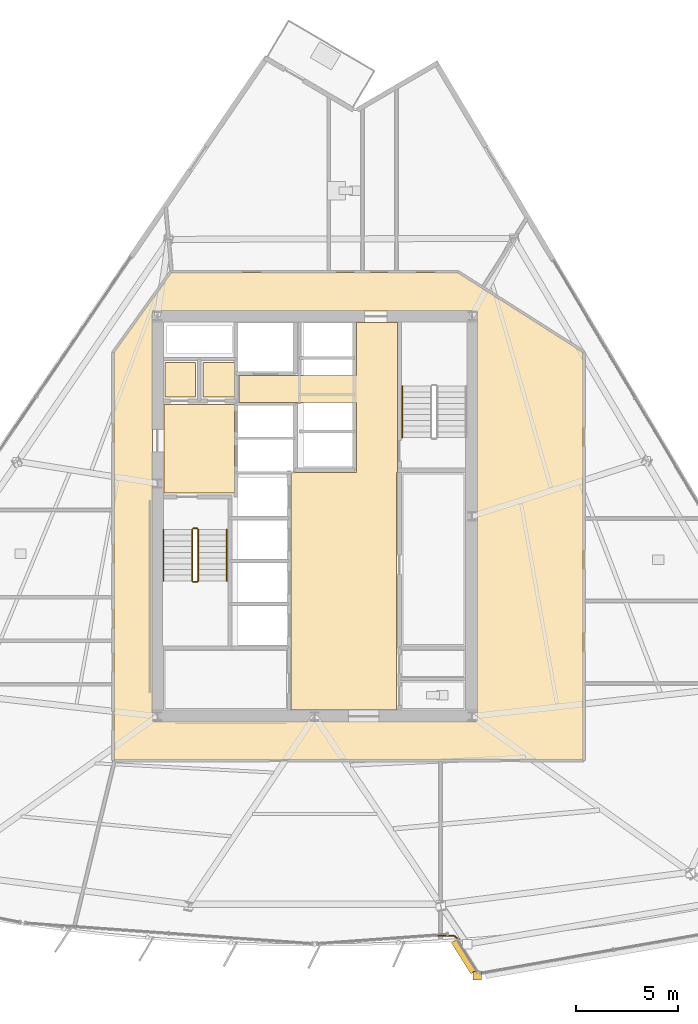
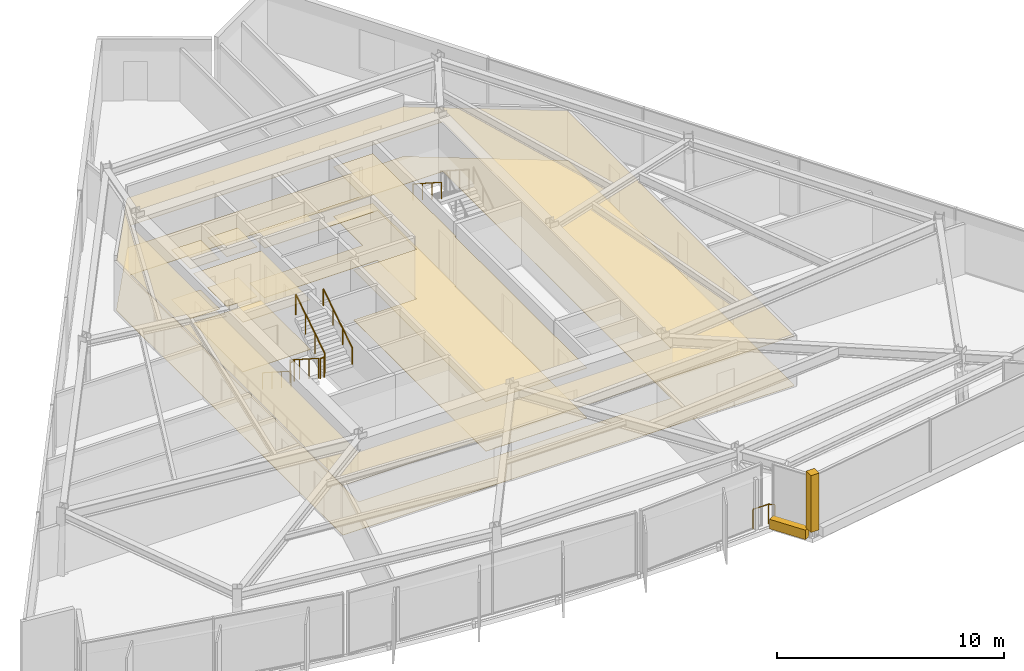
# One storey, part 12 of 15: 12 coverings, 8 railings.
"""IFC4 building model written with IfcOpenShell, lengths in metres."""

from ifc_helpers import new_model, si_unit, direction, frame, origin, origin_2d, place, context, subcontext, project, spatial, polyline, circle, outline, extrude, material, layer, layer_set, type_object, element, save


model = new_model("IFC4")

# Units and contexts
model_context = context("Model", 3, precision=1e-05, world=origin(), true_north=direction((0.0, 1.0)))
body_context = subcontext(model_context, "Body", "Model", "MODEL_VIEW")
ifc_project = project(units=[si_unit("LENGTHUNIT", "METRE"), si_unit("AREAUNIT", "SQUARE_METRE"), si_unit("VOLUMEUNIT", "CUBIC_METRE"), si_unit("PLANEANGLEUNIT", "RADIAN"), si_unit("MASSUNIT", "GRAM", prefix="KILO")], contexts=[model_context])

# Site, building, storey
site_placement = place(None, origin())
site = spatial("IfcSite", under=ifc_project, at=site_placement, CompositionType="ELEMENT")
building_placement = place(site_placement, origin())
building = spatial("IfcBuilding", under=site, at=building_placement, Name="Savorim Split Tower", CompositionType="ELEMENT")
storey_placement = place(building_placement, frame((0.0, 0.0, 122.10009765625)))
storey = spatial("IfcBuildingStorey", under=building, at=storey_placement, Name="L32", CompositionType="ELEMENT", Elevation=122.10009765625)

# Coverings
ifc_material_1 = material(Name="Mineral Fibre Acoustic Ceiling")
ifc_layer_1 = layer(ifc_material_1, 0.02490234375)
ifc_layer_set_1 = layer_set([ifc_layer_1], Name="COV-CEIL-25")
covering_type_1 = type_object("IfcCoveringType", Name="COV-CEIL-25", PredefinedType="CEILING", material=ifc_layer_set_1)
covering_1_placement = place(storey_placement, frame((0.0, 0.0, 2.669921875)))
element("IfcCovering", 1, at=covering_1_placement, inside=storey, type_object=covering_type_1, Name="L32 Firefighting Lift Lobby Acoustic Ceiling", PredefinedType="CEILING", context=body_context, shape_type="SweptSolid", body=[
    extrude(outline(polyline([(-7.3798828125, 5.8701171875), (-7.3798828125, 1.530029296875), (-3.929931640625, 1.530029296875), (-3.929931640625, 5.8701171875), (-7.3798828125, 5.8701171875)])), origin(), (0.0, 0.0, 1.0), 0.02490234375),
])
covering_2_placement = place(storey_placement, frame((0.0, 0.0, 2.669921875)))
element("IfcCovering", 2, at=covering_2_placement, inside=storey, type_object=covering_type_1, Name="L32 Electrical Riser Acoustic Ceiling", PredefinedType="CEILING", context=body_context, shape_type="SweptSolid", body=[
    extrude(outline(polyline([(-7.320068359375, 7.919921875), (-7.320068359375, 6.22998046875), (-5.830078125, 6.22998046875), (-5.830078125, 7.919921875), (-7.320068359375, 7.919921875)])), origin(), (0.0, 0.0, 1.0), 0.02490234375),
])
covering_3_placement = place(storey_placement, frame((0.0, 0.0, 2.669921875)))
element("IfcCovering", 3, at=covering_3_placement, inside=storey, type_object=covering_type_1, Name="L32 Telecom Riser Acoustic Ceiling", PredefinedType="CEILING", context=body_context, shape_type="SweptSolid", body=[
    extrude(outline(polyline([(-5.469970703125, 7.919921875), (-5.469970703125, 6.22998046875), (-3.929931640625, 6.22998046875), (-3.929931640625, 7.919921875), (-5.469970703125, 7.919921875)])), origin(), (0.0, 0.0, 1.0), 0.02490234375),
])
covering_4_placement = place(storey_placement, frame((0.0, 0.0, 2.669921875)))
element("IfcCovering", 4, at=covering_4_placement, inside=storey, type_object=covering_type_1, Name="L32 Lift Lobby Acoustic Ceiling", PredefinedType="CEILING", context=body_context, shape_type="SweptSolid", body=[
    extrude(outline(polyline([(2.050048828125, 2.550048828125), (-1.14990234375, 2.550048828125), (-1.14990234375, -9.10009765625), (4.0, -9.10009765625), (4.0, 2.550048828125), (4.050048828125, 2.550048828125), (4.050048828125, 5.97998046875), (4.050048828125, 7.300048828125), (4.050048828125, 9.8798828125), (2.050048828125, 9.8798828125), (2.050048828125, 7.300048828125), (-3.699951171875, 7.300048828125), (-3.699951171875, 5.97998046875), (2.050048828125, 5.97998046875), (2.050048828125, 2.550048828125)])), origin(), (0.0, 0.0, 1.0), 0.02490234375),
])
covering_5_placement = place(storey_placement, frame((0.0, 0.0, 2.669921875)))
element("IfcCovering", 5, at=covering_5_placement, inside=storey, type_object=covering_type_1, Name="L32 Corridor Acoustic Ceiling", PredefinedType="CEILING", context=body_context, shape_type="SweptSolid", body=[
    extrude(outline(polyline([(7.009521484375, 12.3291015625), (7.004638671875, 12.329833984375), (7.0, 12.330078125), (-7.0, 12.330078125), (-7.004638671875, 12.329833984375), (-7.009521484375, 12.3291015625), (-7.013916015625, 12.327880859375), (-7.0185546875, 12.326416015625), (-7.022705078125, 12.324462890625), (-7.027099609375, 12.322021484375), (-7.03076171875, 12.3193359375), (-7.034423828125, 12.31640625), (-7.03759765625, 12.312744140625), (-7.04052734375, 12.30908203125), (-9.820556640625, 8.42919921875), (-9.823486328125, 8.4248046875), (-9.82568359375, 8.420166015625), (-9.82763671875, 8.415283203125), (-9.828857421875, 8.410400390625), (-9.82958984375, 8.4052734375), (-9.830078125, 8.39990234375), (-9.830078125, -11.47998046875), (-9.829833984375, -11.48486328125), (-9.8291015625, -11.48974609375), (-9.827880859375, -11.494384765625), (-9.826171875, -11.4990234375), (-9.82421875, -11.503662109375), (-9.821533203125, -11.5078125), (-9.818603515625, -11.51171875), (-9.8154296875, -11.515380859375), (-9.811767578125, -11.518798828125), (-9.807861328125, -11.521484375), (-9.8037109375, -11.524169921875), (-9.799072265625, -11.526123046875), (-9.79443359375, -11.52783203125), (-9.789794921875, -11.529052734375), (-9.784912109375, -11.52978515625), (-9.780029296875, -11.530029296875), (13.10009765625, -11.530029296875), (13.10498046875, -11.52978515625), (13.10986328125, -11.529052734375), (13.114501953125, -11.52783203125), (13.119140625, -11.526123046875), (13.12353515625, -11.524169921875), (13.127685546875, -11.521484375), (13.131591796875, -11.518798828125), (13.135498046875, -11.515380859375), (13.138671875, -11.51171875), (13.1416015625, -11.5078125), (13.14404296875, -11.503662109375), (13.146240234375, -11.4990234375), (13.147705078125, -11.494384765625), (13.14892578125, -11.48974609375), (13.14990234375, -11.48486328125), (13.14990234375, -11.47998046875), (13.14990234375, 8.39990234375), (13.149658203125, 8.405029296875), (13.14892578125, 8.409912109375), (13.147705078125, 8.414794921875), (13.14599609375, 8.41943359375), (13.143798828125, 8.424072265625), (13.14111328125, 8.42822265625), (13.13818359375, 8.432373046875), (13.134765625, 8.43603515625), (13.130859375, 8.439208984375), (13.126708984375, 8.442138671875), (7.02685546875, 12.322265625), (7.022705078125, 12.324462890625), (7.018310546875, 12.326416015625), (7.013916015625, 12.327880859375), (7.009521484375, 12.3291015625)]), holes=[polyline([(-7.949951171875, 10.449951171875), (-7.949951171875, -9.64990234375), (7.949951171875, -9.64990234375), (7.949951171875, 10.449951171875), (-7.949951171875, 10.449951171875)])]), origin(), (0.0, 0.0, 1.0), 0.02490234375),
])
ifc_material_2 = material(Name="Porcelain Stoneware Flooring", Category="masonry")
ifc_layer_2 = layer(ifc_material_2, 0.02001953125)
ifc_layer_set_2 = layer_set([ifc_layer_2], Name="COV-FLOR-20")
covering_type_2 = type_object("IfcCoveringType", Name="COV-FLOR-20", PredefinedType="FLOORING", material=ifc_layer_set_2)
covering_6_placement = place(storey_placement, origin())
element("IfcCovering", 6, at=covering_6_placement, inside=storey, type_object=covering_type_2, Name="L32 Firefighting Lift Lobby Porcelain Flooring", PredefinedType="FLOORING", context=body_context, shape_type="SweptSolid", body=[
    extrude(outline(polyline([(-7.3798828125, 5.8701171875), (-7.3798828125, 1.530029296875), (-3.929931640625, 1.530029296875), (-3.929931640625, 5.8701171875), (-7.3798828125, 5.8701171875)])), origin(), (0.0, 0.0, 1.0), 0.02001953125),
])
covering_7_placement = place(storey_placement, origin())
element("IfcCovering", 7, at=covering_7_placement, inside=storey, type_object=covering_type_2, Name="L32 Electrical Riser Porcelain Flooring", PredefinedType="FLOORING", context=body_context, shape_type="SweptSolid", body=[
    extrude(outline(polyline([(-7.320068359375, 7.919921875), (-7.320068359375, 6.22998046875), (-5.830078125, 6.22998046875), (-5.830078125, 7.919921875), (-7.320068359375, 7.919921875)])), origin(), (0.0, 0.0, 1.0), 0.02001953125),
])
covering_8_placement = place(storey_placement, origin())
element("IfcCovering", 8, at=covering_8_placement, inside=storey, type_object=covering_type_2, Name="L32 Telecom Riser Porcelain Flooring", PredefinedType="FLOORING", context=body_context, shape_type="SweptSolid", body=[
    extrude(outline(polyline([(-5.469970703125, 7.919921875), (-5.469970703125, 6.22998046875), (-3.929931640625, 6.22998046875), (-3.929931640625, 7.919921875), (-5.469970703125, 7.919921875)])), origin(), (0.0, 0.0, 1.0), 0.02001953125),
])
covering_9_placement = place(storey_placement, origin())
element("IfcCovering", 9, at=covering_9_placement, inside=storey, type_object=covering_type_2, Name="L32 Lift Lobby Porcelain Flooring", PredefinedType="FLOORING", context=body_context, shape_type="SweptSolid", body=[
    extrude(outline(polyline([(2.050048828125, 2.550048828125), (-1.14990234375, 2.550048828125), (-1.14990234375, -9.10009765625), (4.0, -9.10009765625), (4.0, 2.550048828125), (4.050048828125, 2.550048828125), (4.050048828125, 5.97998046875), (4.050048828125, 7.300048828125), (4.050048828125, 9.8798828125), (2.050048828125, 9.8798828125), (2.050048828125, 7.300048828125), (-3.699951171875, 7.300048828125), (-3.699951171875, 5.97998046875), (2.050048828125, 5.97998046875), (2.050048828125, 2.550048828125)])), origin(), (0.0, 0.0, 1.0), 0.02001953125),
])
covering_10_placement = place(storey_placement, origin())
element("IfcCovering", 10, at=covering_10_placement, inside=storey, type_object=covering_type_2, Name="L32 Corridor Porcelain Flooring", PredefinedType="FLOORING", context=body_context, shape_type="SweptSolid", body=[
    extrude(outline(polyline([(7.009521484375, 12.3291015625), (7.004638671875, 12.329833984375), (7.0, 12.330078125), (-7.0, 12.330078125), (-7.004638671875, 12.329833984375), (-7.009521484375, 12.3291015625), (-7.013916015625, 12.327880859375), (-7.0185546875, 12.326416015625), (-7.022705078125, 12.324462890625), (-7.027099609375, 12.322021484375), (-7.03076171875, 12.3193359375), (-7.034423828125, 12.31640625), (-7.03759765625, 12.312744140625), (-7.04052734375, 12.30908203125), (-9.820556640625, 8.42919921875), (-9.823486328125, 8.4248046875), (-9.82568359375, 8.420166015625), (-9.82763671875, 8.415283203125), (-9.828857421875, 8.410400390625), (-9.82958984375, 8.4052734375), (-9.830078125, 8.39990234375), (-9.830078125, -11.47998046875), (-9.829833984375, -11.48486328125), (-9.8291015625, -11.48974609375), (-9.827880859375, -11.494384765625), (-9.826171875, -11.4990234375), (-9.82421875, -11.503662109375), (-9.821533203125, -11.5078125), (-9.818603515625, -11.51171875), (-9.8154296875, -11.515380859375), (-9.811767578125, -11.518798828125), (-9.807861328125, -11.521484375), (-9.8037109375, -11.524169921875), (-9.799072265625, -11.526123046875), (-9.79443359375, -11.52783203125), (-9.789794921875, -11.529052734375), (-9.784912109375, -11.52978515625), (-9.780029296875, -11.530029296875), (13.10009765625, -11.530029296875), (13.10498046875, -11.52978515625), (13.10986328125, -11.529052734375), (13.114501953125, -11.52783203125), (13.119140625, -11.526123046875), (13.12353515625, -11.524169921875), (13.127685546875, -11.521484375), (13.131591796875, -11.518798828125), (13.135498046875, -11.515380859375), (13.138671875, -11.51171875), (13.1416015625, -11.5078125), (13.14404296875, -11.503662109375), (13.146240234375, -11.4990234375), (13.147705078125, -11.494384765625), (13.14892578125, -11.48974609375), (13.14990234375, -11.48486328125), (13.14990234375, -11.47998046875), (13.14990234375, 8.39990234375), (13.149658203125, 8.405029296875), (13.14892578125, 8.409912109375), (13.147705078125, 8.414794921875), (13.14599609375, 8.41943359375), (13.143798828125, 8.424072265625), (13.14111328125, 8.42822265625), (13.13818359375, 8.432373046875), (13.134765625, 8.43603515625), (13.130859375, 8.439208984375), (13.126708984375, 8.442138671875), (7.02685546875, 12.322265625), (7.022705078125, 12.324462890625), (7.018310546875, 12.326416015625), (7.013916015625, 12.327880859375), (7.009521484375, 12.3291015625)]), holes=[polyline([(-7.949951171875, 10.449951171875), (-7.949951171875, -9.64990234375), (7.949951171875, -9.64990234375), (7.949951171875, 10.449951171875), (-7.949951171875, 10.449951171875)])]), origin(), (0.0, 0.0, 1.0), 0.02001953125),
])
ifc_material_3 = material(Name="White Porcelain Architectural Cladding")
ifc_layer_3 = layer(ifc_material_3, 0.139892578125)
ifc_layer_set_3 = layer_set([ifc_layer_3], Name="COV-FRM-WHITE")
covering_type_3 = type_object("IfcCoveringType", Name="COV-FRM-WHITE", PredefinedType="CLADDING", material=ifc_layer_set_3)
covering_11_placement = place(storey_placement, frame((0.0, 0.0, 0.010009765625)))
element("IfcCovering", 11, at=covering_11_placement, inside=storey, type_object=covering_type_3, Name="L32 Cantilevered Lounge White Lower Frame Band W", PredefinedType="CLADDING", context=body_context, shape_type="SweptSolid", body=[
    extrude(outline(polyline([(6.696533203125, -20.48828125), (7.653076171875, -22.01318359375), (7.941162109375, -21.83251953125), (6.984619140625, -20.3076171875), (6.696533203125, -20.48828125)])), origin(), (0.0, 0.0, 1.0), 0.510009765625),
])
covering_12_placement = place(storey_placement, frame((0.0, 0.0, 0.539794921875)))
element("IfcCovering", 12, at=covering_12_placement, inside=storey, type_object=covering_type_3, Name="L32 Cantilevered Lounge White Frame Corner Post 1", PredefinedType="CLADDING", context=body_context, shape_type="SweptSolid", body=[
    extrude(outline(polyline([(7.757080078125, -22.3095703125), (8.177001953125, -22.3095703125), (8.177001953125, -21.889404296875), (7.757080078125, -21.889404296875), (7.757080078125, -22.3095703125)])), origin(), (0.0, 0.0, 1.0), 3.050048828125),
])

# Railings
ifc_material_4 = material(Name="Galvanised Painted Steel Balustrade", Category="steel")
railing_type_1 = type_object("IfcRailingType", Name="RLG-BAL-1100", PredefinedType="BALUSTRADE", material=ifc_material_4)
railing_1_placement = place(storey_placement, frame((6.060302734375, -20.153564453125, 0.0)))
element("IfcRailing", 13, at=railing_1_placement, inside=storey, type_object=railing_type_1, Name="L32 Cantilevered Lounge West Edge Closure Guard", PredefinedType="BALUSTRADE", context=body_context, shape_type="SweptSolid", body=[
    extrude(circle(Radius=0.02392578125, at=origin_2d()), frame((0.0, 0.0, 1.076171875), z_axis=(1.0, 0.0, 0.0), x_axis=(0.0, 1.0, 0.0)), (0.0, 0.0, 1.0), 0.780029296875),
    extrude(circle(Radius=0.02392578125, at=origin_2d()), frame((0.780029296875, 0.0, 1.076171875), z_axis=(0.810013375231, -0.586411401617, 0.0), x_axis=(0.586411401617, 0.810013375231, 0.0)), (0.0, 0.0, 1.0), 0.280517578125),
    extrude(circle(Radius=0.02099609375, at=origin_2d()), origin(), (0.0, 0.0, 1.0), 1.052001953125),
    extrude(circle(Radius=0.02099609375, at=origin_2d()), frame((0.780029296875, 0.0, 0.0)), (0.0, 0.0, 1.0), 1.052001953125),
    extrude(circle(Radius=0.02099609375, at=origin_2d()), frame((1.00732421875, -0.16455078125, 0.0)), (0.0, 0.0, 1.0), 1.052001953125),
])
railing_type_2 = type_object("IfcRailingType", Name="RLG-HR-900", PredefinedType="HANDRAIL", material=ifc_material_4)
railing_2_placement = place(storey_placement, frame((-7.39990234375, -0.25, 0.179931640625)))
element("IfcRailing", 14, at=railing_2_placement, inside=storey, type_object=railing_type_2, Name="L32 ST-1 stair handrail 1", PredefinedType="HANDRAIL", context=body_context, shape_type="SweptSolid", body=[
    extrude(circle(Radius=0.02392578125, at=origin_2d()), frame((0.0, 0.0, 0.8759765625), z_axis=(0.0, -0.841199657755, 0.540724639528), x_axis=(1.0, 0.0, 0.0)), (0.0, 0.0, 1.0), 2.995849609375),
    extrude(circle(Radius=0.02099609375, at=origin_2d()), origin(), (0.0, 0.0, 1.0), 0.851806640625),
    extrude(circle(Radius=0.02099609375, at=origin_2d()), frame((0.0, -0.840087890625, 0.5400390625)), (0.0, 0.0, 1.0), 0.851806640625),
    extrude(circle(Radius=0.02099609375, at=origin_2d()), frame((0.0, -1.679931640625, 1.079833984375)), (0.0, 0.0, 1.0), 0.851806640625),
    extrude(circle(Radius=0.02099609375, at=origin_2d()), frame((0.0, -2.52001953125, 1.619873046875)), (0.0, 0.0, 1.0), 0.851806640625),
])
railing_3_placement = place(storey_placement, frame((-4.300048828125, -2.77001953125, 1.97998046875)))
element("IfcRailing", 15, at=railing_3_placement, inside=storey, type_object=railing_type_2, Name="L32 ST-1 stair handrail 2", PredefinedType="HANDRAIL", context=body_context, shape_type="SweptSolid", body=[
    extrude(circle(Radius=0.02392578125, at=origin_2d()), frame((0.0, 0.0, 0.8759765625), z_axis=(0.0, 0.841199657755, 0.540724639528), x_axis=(-1.0, 0.0, 0.0)), (0.0, 0.0, 1.0), 2.995849609375),
    extrude(circle(Radius=0.02099609375, at=origin_2d()), origin(), (0.0, 0.0, 1.0), 0.851806640625),
    extrude(circle(Radius=0.02099609375, at=origin_2d()), frame((0.0, 0.840087890625, 0.5400390625)), (0.0, 0.0, 1.0), 0.851806640625),
    extrude(circle(Radius=0.02099609375, at=origin_2d()), frame((0.0, 1.679931640625, 1.079833984375)), (0.0, 0.0, 1.0), 0.851806640625),
    extrude(circle(Radius=0.02099609375, at=origin_2d()), frame((0.0, 2.52001953125, 1.619873046875)), (0.0, 0.0, 1.0), 0.851806640625),
])
railing_4_placement = place(storey_placement, frame((4.300048828125, 6.77001953125, 1.97998046875)))
element("IfcRailing", 16, at=railing_4_placement, inside=storey, type_object=railing_type_2, Name="L32 ST-2 stair handrail 2", PredefinedType="HANDRAIL", context=body_context, shape_type="SweptSolid", body=[
    extrude(circle(Radius=0.02392578125, at=origin_2d()), frame((0.0, 0.0, 0.8759765625), z_axis=(0.0, -0.841199657755, 0.540724639528), x_axis=(1.0, 0.0, 0.0)), (0.0, 0.0, 1.0), 2.995849609375),
    extrude(circle(Radius=0.02099609375, at=origin_2d()), origin(), (0.0, 0.0, 1.0), 0.851806640625),
    extrude(circle(Radius=0.02099609375, at=origin_2d()), frame((0.0, -0.840087890625, 0.5400390625)), (0.0, 0.0, 1.0), 0.851806640625),
    extrude(circle(Radius=0.02099609375, at=origin_2d()), frame((0.0, -1.679931640625, 1.079833984375)), (0.0, 0.0, 1.0), 0.851806640625),
    extrude(circle(Radius=0.02099609375, at=origin_2d()), frame((0.0, -2.52001953125, 1.619873046875)), (0.0, 0.0, 1.0), 0.851806640625),
])
railing_type_3 = type_object("IfcRailingType", Name="RLG-STG-1100", PredefinedType="BALUSTRADE", material=ifc_material_4)
railing_5_placement = place(storey_placement, frame((-6.0, -0.25, 0.179931640625)))
element("IfcRailing", 17, at=railing_5_placement, inside=storey, type_object=railing_type_3, Name="L32 ST-1 stair guard 1", PredefinedType="BALUSTRADE", context=body_context, shape_type="SweptSolid", body=[
    extrude(circle(Radius=0.02392578125, at=origin_2d()), frame((0.0, 0.0, 1.076171875), z_axis=(0.0, -0.841199657755, 0.540724639528), x_axis=(1.0, 0.0, 0.0)), (0.0, 0.0, 1.0), 2.995849609375),
    extrude(circle(Radius=0.02099609375, at=origin_2d()), origin(), (0.0, 0.0, 1.0), 1.052001953125),
    extrude(circle(Radius=0.02099609375, at=origin_2d()), frame((0.0, -0.840087890625, 0.5400390625)), (0.0, 0.0, 1.0), 1.052001953125),
    extrude(circle(Radius=0.02099609375, at=origin_2d()), frame((0.0, -1.679931640625, 1.079833984375)), (0.0, 0.0, 1.0), 1.052001953125),
    extrude(circle(Radius=0.02099609375, at=origin_2d()), frame((0.0, -2.52001953125, 1.619873046875)), (0.0, 0.0, 1.0), 1.052001953125),
])
railing_6_placement = place(storey_placement, frame((-5.949951171875, -2.820068359375, 1.7998046875)))
element("IfcRailing", 18, at=railing_6_placement, inside=storey, type_object=railing_type_3, Name="L32 ST-1 stair guard 2", PredefinedType="BALUSTRADE", context=body_context, shape_type="SweptSolid", body=[
    extrude(circle(Radius=0.02392578125, at=origin_2d()), frame((0.0, 0.0, 1.076171875), z_axis=(1.0, 0.0, 0.0), x_axis=(0.0, 1.0, 0.0)), (0.0, 0.0, 1.0), 0.199951171875),
    extrude(circle(Radius=0.02099609375, at=origin_2d()), origin(), (0.0, 0.0, 1.0), 1.052001953125),
    extrude(circle(Radius=0.02099609375, at=origin_2d()), frame((0.199951171875, 0.0, 0.0)), (0.0, 0.0, 1.0), 1.052001953125),
])
railing_7_placement = place(storey_placement, frame((-5.699951171875, -2.77001953125, 1.97998046875)))
element("IfcRailing", 19, at=railing_7_placement, inside=storey, type_object=railing_type_3, Name="L32 ST-1 stair guard 3", PredefinedType="BALUSTRADE", context=body_context, shape_type="SweptSolid", body=[
    extrude(circle(Radius=0.02392578125, at=origin_2d()), frame((0.0, 0.0, 1.076171875), z_axis=(0.0, 0.841199657755, 0.540724639528), x_axis=(-1.0, 0.0, 0.0)), (0.0, 0.0, 1.0), 2.995849609375),
    extrude(circle(Radius=0.02099609375, at=origin_2d()), origin(), (0.0, 0.0, 1.0), 1.052001953125),
    extrude(circle(Radius=0.02099609375, at=origin_2d()), frame((0.0, 0.840087890625, 0.5400390625)), (0.0, 0.0, 1.0), 1.052001953125),
    extrude(circle(Radius=0.02099609375, at=origin_2d()), frame((0.0, 1.679931640625, 1.079833984375)), (0.0, 0.0, 1.0), 1.052001953125),
    extrude(circle(Radius=0.02099609375, at=origin_2d()), frame((0.0, 2.52001953125, 1.619873046875)), (0.0, 0.0, 1.0), 1.052001953125),
])
railing_8_placement = place(storey_placement, frame((-5.949951171875, -0.199951171875, 0.0)))
element("IfcRailing", 20, at=railing_8_placement, inside=storey, type_object=railing_type_3, Name="L32 ST-1 stair guard 4", PredefinedType="BALUSTRADE", context=body_context, shape_type="SweptSolid", body=[
    extrude(circle(Radius=0.02392578125, at=origin_2d()), frame((0.0, 0.0, 1.076171875), z_axis=(1.0, 0.0, 0.0), x_axis=(0.0, 1.0, 0.0)), (0.0, 0.0, 1.0), 0.199951171875),
    extrude(circle(Radius=0.02099609375, at=origin_2d()), origin(), (0.0, 0.0, 1.0), 1.052001953125),
    extrude(circle(Radius=0.02099609375, at=origin_2d()), frame((0.199951171875, 0.0, 0.0)), (0.0, 0.0, 1.0), 1.052001953125),
])

save(model, "model.ifc")
